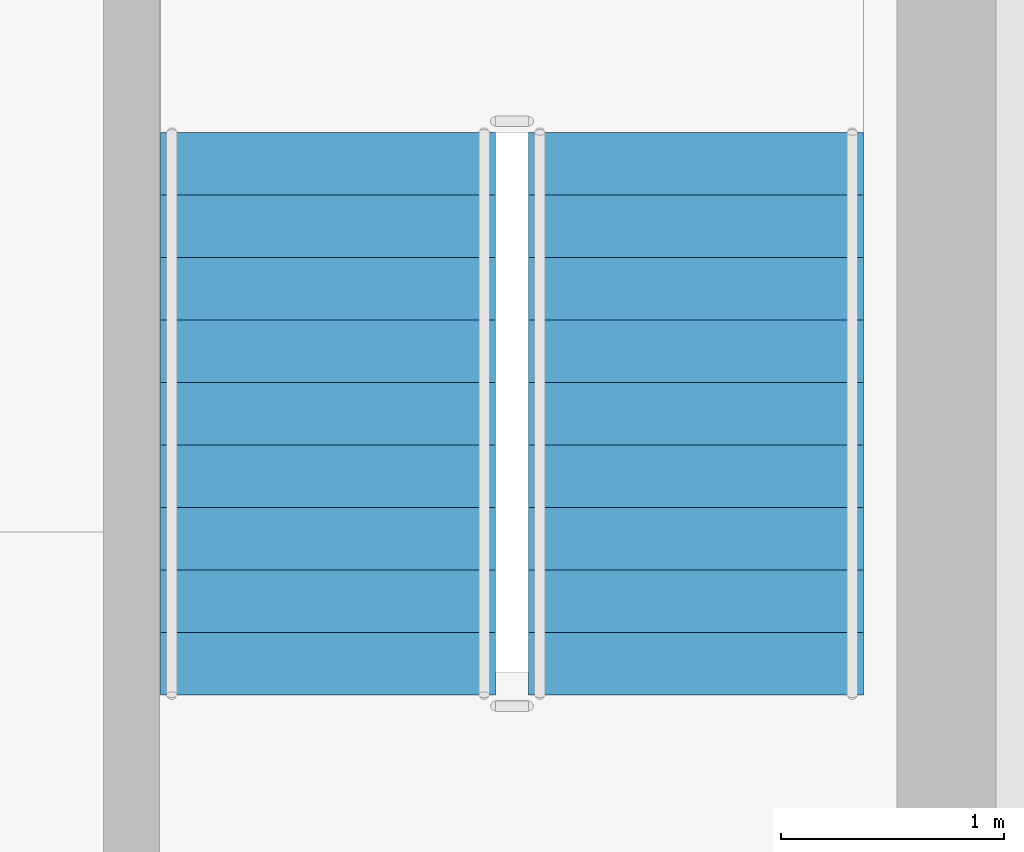
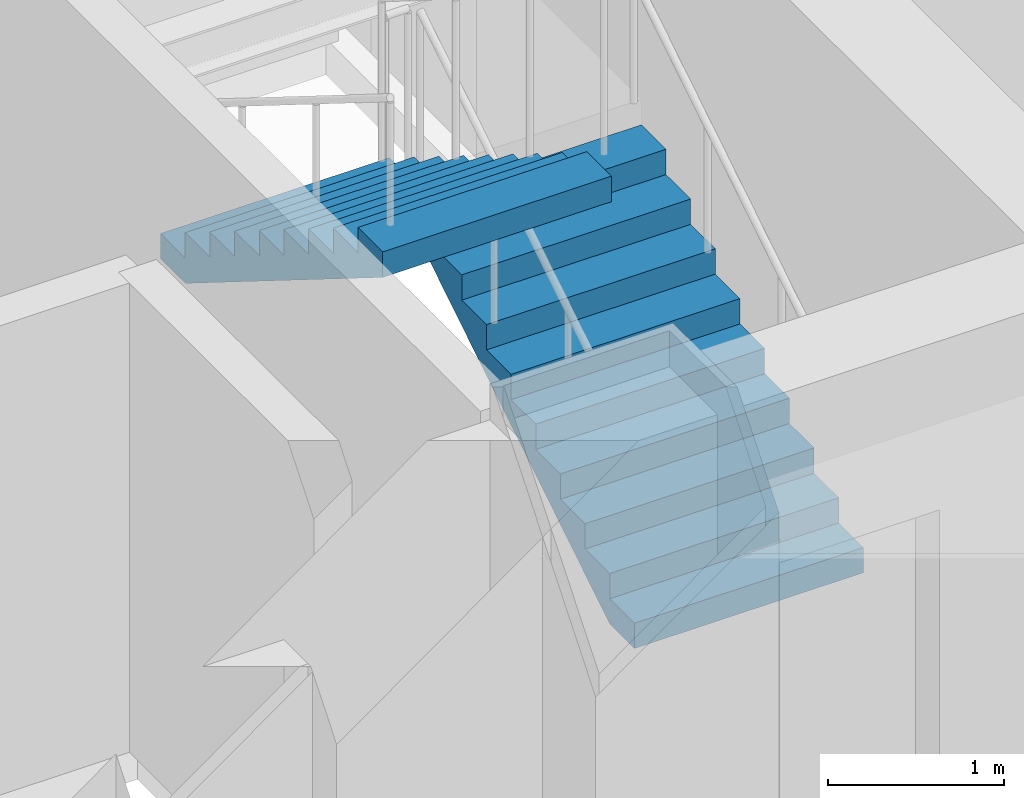
# One storey, part 17 of 24: 2 stair flights, 1 element without a shape of its own.
"""IFC4 building model written with IfcOpenShell, lengths in metres."""

import ifcopenshell
import ifcopenshell.guid

model = None  # the IFC model being written
_history = None  # IfcOwnerHistory: only IFC2X3 demands one
_inside = {}  # id of a spatial element -> (the spatial element, [elements in it])
_under = {}  # id of a project, library or spatial element -> (it, [spatial elements below it])
_declared = {}  # id of a project -> (the project, [libraries it declares])
_typed = {}  # id of a type object -> (the type object, [elements of that type])
_made_of = {}  # id of a material, layer set ... -> (it, [elements and type objects made of it])


def new_model(schema):
    """Start an empty IFC model of exactly this schema.

    Asked for "IFC4X3", IfcOpenShell would pick the latest addendum, in which some entities
    have other attributes; the version numbers below select the first issue.
    IFC2X3 requires an IfcOwnerHistory on every rooted entity: one is made here for all.
    """
    global model, _history
    if schema == "IFC4X3":
        model = ifcopenshell.file(schema_version=(4, 3, 0, 0))
    else:
        model = ifcopenshell.file(schema=schema)
    _inside.clear()
    _under.clear()
    _declared.clear()
    _typed.clear()
    _made_of.clear()
    _history = None
    if model.schema == "IFC2X3":
        org = make("IfcOrganization", Name="unknown")
        user = make(
            "IfcPersonAndOrganization",
            ThePerson=make("IfcPerson", FamilyName="unknown"),
            TheOrganization=org,
        )
        app = make(
            "IfcApplication",
            ApplicationDeveloper=org,
            Version="unknown",
            ApplicationFullName="unknown",
            ApplicationIdentifier="unknown",
        )
        _history = make(
            "IfcOwnerHistory",
            OwningUser=user,
            OwningApplication=app,
            ChangeAction="ADDED",
            CreationDate=0,
        )
    return model


def make(cls, **values):
    """One entity of the class cls with the attributes given. An attribute that is None is left unset."""
    return model.create_entity(
        cls, **{name: value for name, value in values.items() if value is not None}
    )


def rooted(cls, **values):
    """An entity with a GlobalId (a new one), such as an element, a storey or a relation."""
    return make(cls, GlobalId=ifcopenshell.guid.new(), OwnerHistory=_history, **values)


def si_unit(unit_type, name, prefix=None):
    """IfcSIUnit, for example si_unit("LENGTHUNIT", "METRE", prefix="MILLI")."""
    return make("IfcSIUnit", UnitType=unit_type, Prefix=prefix, Name=name)


def assignment(units):
    """IfcUnitAssignment: the units of a project."""
    return None if units is None else make("IfcUnitAssignment", Units=units)


def point(xyz):
    """IfcCartesianPoint."""
    return None if xyz is None else make("IfcCartesianPoint", Coordinates=xyz)


def direction(xyz):
    """IfcDirection."""
    return None if xyz is None else make("IfcDirection", DirectionRatios=xyz)


def frame(location, z_axis=None, x_axis=None):
    """IfcAxis2Placement3D, a coordinate frame: its origin and axes. An axis left out is left unset."""
    return make(
        "IfcAxis2Placement3D",
        Location=point(location),
        Axis=direction(z_axis),
        RefDirection=direction(x_axis),
    )


def origin():
    """The frame at (0, 0, 0) with its axes left unset."""
    return frame((0.0, 0.0, 0.0))


def place(relative_to, where):
    """IfcLocalPlacement: puts the frame where relative to a parent placement (None: the world)."""
    return make(
        "IfcLocalPlacement", PlacementRelTo=relative_to, RelativePlacement=where
    )


def context(
    kind, dimensions, precision=None, world=None, true_north=None, identifier=None
):
    """IfcGeometricRepresentationContext, for example the 3D "Model" context."""
    return make(
        "IfcGeometricRepresentationContext",
        ContextIdentifier=identifier,
        ContextType=kind,
        CoordinateSpaceDimension=dimensions,
        Precision=precision,
        WorldCoordinateSystem=world,
        TrueNorth=true_north,
    )


def subcontext(parent, identifier, kind, view, scale=None):
    """IfcGeometricRepresentationSubContext, for example "Body" below "Model"."""
    return make(
        "IfcGeometricRepresentationSubContext",
        ContextIdentifier=identifier,
        ContextType=kind,
        ParentContext=parent,
        TargetScale=scale,
        TargetView=view,
    )


def project(units=None, contexts=None):
    """IfcProject with its units and contexts."""
    return rooted(
        "IfcProject",
        Name="project",
        RepresentationContexts=contexts,
        UnitsInContext=assignment(units),
    )


def spatial(cls, under=None, at=None, **own):
    """A site, building, storey or space (cls), placed at a placement, below another one or the project."""
    s = rooted(cls, ObjectPlacement=at, **own)
    if under is not None:
        _under.setdefault(under.id(), (under, []))[1].append(s)
    return s


def polyline(points):
    """IfcPolyline through the points."""
    return make("IfcPolyline", Points=[point(p) for p in points])


def outline(outer, holes=None, kind="AREA"):
    """IfcArbitraryClosedProfileDef: a profile drawn as a closed curve; with holes, ...WithVoids."""
    if holes is None:
        return make("IfcArbitraryClosedProfileDef", ProfileType=kind, OuterCurve=outer)
    return make(
        "IfcArbitraryProfileDefWithVoids",
        ProfileType=kind,
        OuterCurve=outer,
        InnerCurves=holes,
    )


def extrude(swept, where, along, depth):
    """IfcExtrudedAreaSolid: the profile swept, set in the frame where, extruded along a direction by depth."""
    return make(
        "IfcExtrudedAreaSolid",
        SweptArea=swept,
        Position=where,
        ExtrudedDirection=direction(along),
        Depth=depth,
    )


def shape(context_of_items, identifier, shape_type, items):
    """IfcShapeRepresentation: the items that make up one representation, for example the "Body"."""
    return make(
        "IfcShapeRepresentation",
        ContextOfItems=context_of_items,
        RepresentationIdentifier=identifier,
        RepresentationType=shape_type,
        Items=items,
    )


def material(Name=None, Category=None):
    """IfcMaterial."""
    return make("IfcMaterial", Name=Name, Category=Category)


def made_of(thing, what):
    """Note that an element or type object is made of a material, layer set ...; save() writes the relation."""
    if what is not None:
        _made_of.setdefault(what.id(), (what, []))[1].append(thing)
    return thing


def type_object(cls, material=None, **own):
    """A type object (cls), such as IfcWallType, which elements share."""
    return made_of(rooted(cls, **own), material)


def element(
    cls,
    number,
    at=None,
    inside=None,
    cuts=None,
    type_object=None,
    material=None,
    context=None,
    identifier="Body",
    shape_type=None,
    held_by="IfcProductDefinitionShape",
    body=None,
    shapes=None,
    **own,
):
    """One element of the class cls, such as IfcWall. Its Tag is "e" and its number.

    at: its placement. inside: the storey or other place that contains it. cuts: it is an
    opening in that element (IfcRelVoidsElement). A single representation is given by context,
    identifier, shape_type and body (its items); several are given by shapes. held_by: the class
    of the entity that holds the representations. save() writes the other relations.
    """
    e = rooted(cls, Tag="e%d" % number, ObjectPlacement=at, **own)
    if body is not None:
        shapes = [shape(context, identifier, shape_type, body)]
    if shapes is not None:
        e.Representation = make(held_by, Representations=shapes)
    if inside is not None:
        _inside.setdefault(inside.id(), (inside, []))[1].append(e)
    if cuts is not None:
        rooted(
            "IfcRelVoidsElement", RelatingBuildingElement=cuts, RelatedOpeningElement=e
        )
    if type_object is not None:
        _typed.setdefault(type_object.id(), (type_object, []))[1].append(e)
    return made_of(e, material)


def aggregate(whole, parts):
    """IfcRelAggregates: a whole, such as a stair, and the parts it consists of."""
    return rooted("IfcRelAggregates", RelatingObject=whole, RelatedObjects=parts)


def save(model, path):
    """Write the relations noted so far, then the file.

    IfcRelAggregates (storeys below a building ...), IfcRelContainedInSpatialStructure (elements
    in a storey), IfcRelDefinesByType, IfcRelAssociatesMaterial and IfcRelDeclares: one each for
    every whole, place, type object, material and project.
    """
    for whole, parts in _under.values():
        aggregate(whole, parts)
    for where, things in _inside.values():
        rooted(
            "IfcRelContainedInSpatialStructure",
            RelatedElements=things,
            RelatingStructure=where,
        )
    for kind, things in _typed.values():
        rooted("IfcRelDefinesByType", RelatedObjects=things, RelatingType=kind)
    for what, things in _made_of.values():
        rooted("IfcRelAssociatesMaterial", RelatedObjects=things, RelatingMaterial=what)
    for by, libraries in _declared.values():
        rooted("IfcRelDeclares", RelatingContext=by, RelatedDefinitions=libraries)
    model.write(path)


model = new_model("IFC4")

# Units and contexts
model_context = context("Model", 3, precision=1e-05, world=origin(), true_north=direction((0.0, 1.0)))
body_context = subcontext(model_context, "Body", "Model", "MODEL_VIEW")
ifc_project = project(units=[si_unit("LENGTHUNIT", "METRE"), si_unit("AREAUNIT", "SQUARE_METRE"), si_unit("VOLUMEUNIT", "CUBIC_METRE"), si_unit("PLANEANGLEUNIT", "RADIAN"), si_unit("MASSUNIT", "GRAM", prefix="KILO")], contexts=[model_context])

# Site, building, storey
site_placement = place(None, origin())
site = spatial("IfcSite", under=ifc_project, at=site_placement, CompositionType="ELEMENT")
building_placement = place(site_placement, origin())
building = spatial("IfcBuilding", under=site, at=building_placement, Name="Trevonay Congress Spire", CompositionType="ELEMENT")
storey_placement = place(building_placement, frame((0.0, 0.0, 55.0)))
storey = spatial("IfcBuildingStorey", under=building, at=storey_placement, Name="L13", CompositionType="ELEMENT", Elevation=55.0)

# Stair, stair flights
ifc_material = material(Name="Concrete C40/50", Category="concrete")
stair_type = type_object("IfcStairType", Name="STR-ST-2", PredefinedType="HALF_TURN_STAIR", material=ifc_material)
stair_placement = place(storey_placement, origin())
stair = element("IfcStair", 1, at=stair_placement, inside=storey, type_object=stair_type, Name="L13 Protected Exit Stair ST-2", PredefinedType="HALF_TURN_STAIR")
stair_flight_type = type_object("IfcStairFlightType", Name="SFL-ST-2", PredefinedType="STRAIGHT", material=ifc_material)
stair_flight_1_placement = place(storey_placement, frame((6.0, -5.25, 0.0), z_axis=(0.0, 0.0, 1.0), x_axis=(0.0, 1.0, 0.0)))
stair_flight_1 = element("IfcStairFlight", 2, at=stair_flight_1_placement, type_object=stair_flight_type, Name="ST-2 flight 1", NumberOfRisers=10, NumberOfTreads=9, PredefinedType="STRAIGHT", RiserHeight=0.175, TreadLength=0.28, context=body_context, shape_type="SweptSolid", body=[
    extrude(outline(polyline([(0.0, 0.0), (0.0, 0.175048828125), (0.280029296875, 0.175048828125), (0.280029296875, 0.35009765625), (0.56005859375, 0.35009765625), (0.56005859375, 0.52490234375), (0.840087890625, 0.52490234375), (0.840087890625, 0.699951171875), (1.1201171875, 0.699951171875), (1.1201171875, 0.875), (1.39990234375, 0.875), (1.39990234375, 1.050048828125), (1.679931640625, 1.050048828125), (1.679931640625, 1.22509765625), (1.9599609375, 1.22509765625), (1.9599609375, 1.39990234375), (2.239990234375, 1.39990234375), (2.239990234375, 1.574951171875), (2.52001953125, 1.574951171875), (2.52001953125, 1.75), (2.52001953125, 1.398193359375), (0.28271484375, 0.0), (0.0, 0.0)])), frame((0.0, 0.75, 0.0), z_axis=(0.0, -1.0, 0.0), x_axis=(1.0, 0.0, 0.0)), (0.0, 0.0, 1.0), 1.5),
])
stair_flight_2_placement = place(storey_placement, frame((4.35009765625, -2.72998046875, 1.75), z_axis=(0.0, 0.0, 1.0), x_axis=(0.0, -1.0, 0.0)))
stair_flight_2 = element("IfcStairFlight", 3, at=stair_flight_2_placement, type_object=stair_flight_type, Name="ST-2 flight 2", NumberOfRisers=10, NumberOfTreads=9, PredefinedType="STRAIGHT", RiserHeight=0.175, TreadLength=0.28, context=body_context, shape_type="SweptSolid", body=[
    extrude(outline(polyline([(0.0, 0.0), (0.0, 0.175048828125), (0.280029296875, 0.175048828125), (0.280029296875, 0.35009765625), (0.56005859375, 0.35009765625), (0.56005859375, 0.52490234375), (0.840087890625, 0.52490234375), (0.840087890625, 0.699951171875), (1.1201171875, 0.699951171875), (1.1201171875, 0.875), (1.39990234375, 0.875), (1.39990234375, 1.050048828125), (1.679931640625, 1.050048828125), (1.679931640625, 1.22509765625), (1.9599609375, 1.22509765625), (1.9599609375, 1.39990234375), (2.239990234375, 1.39990234375), (2.239990234375, 1.574951171875), (2.52001953125, 1.574951171875), (2.52001953125, 1.75), (2.52001953125, 1.398193359375), (0.28271484375, 0.0), (0.0, 0.0)])), frame((0.0, 0.75, 0.0), z_axis=(0.0, -1.0, 0.0), x_axis=(1.0, 0.0, 0.0)), (0.0, 0.0, 1.0), 1.5),
])
aggregate(stair, [stair_flight_1, stair_flight_2])

save(model, "model.ifc")
